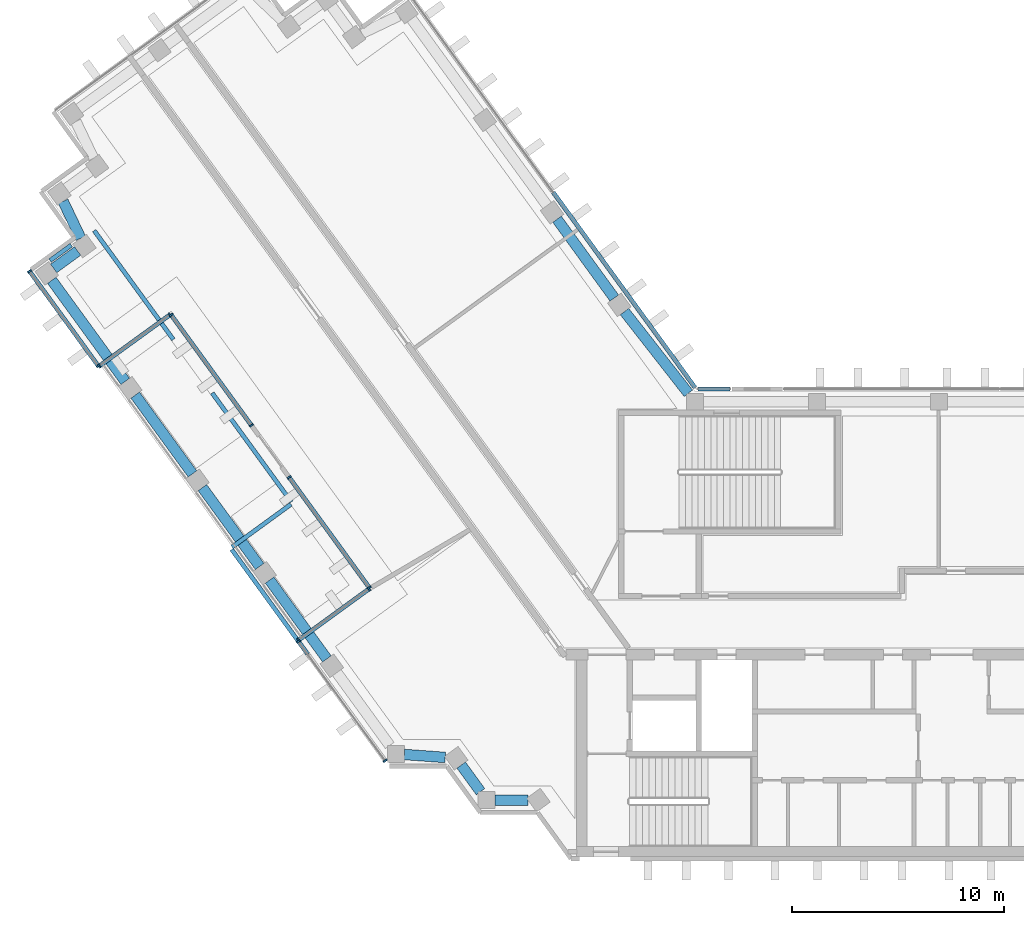
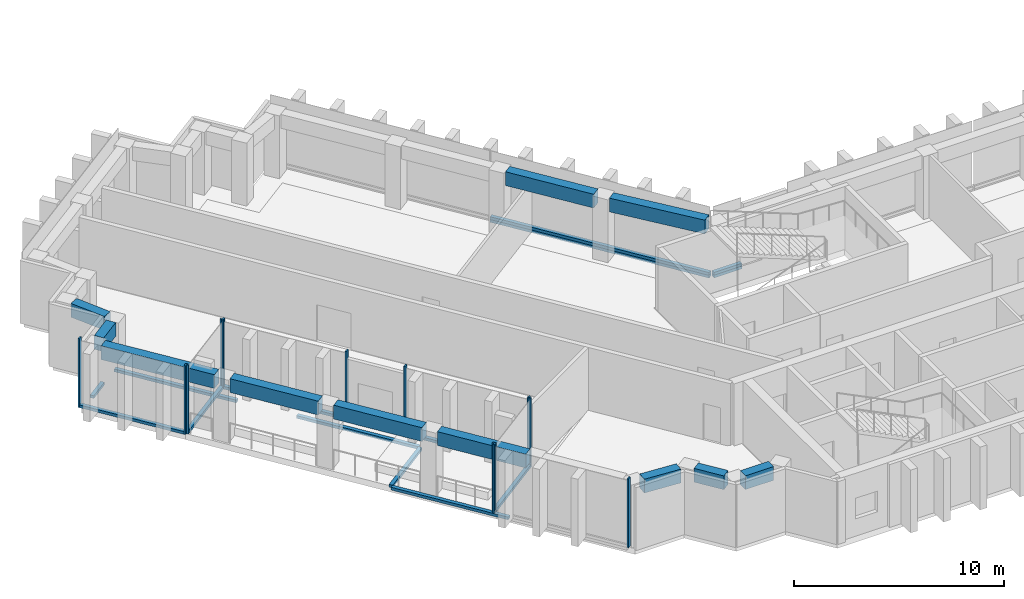
"""IFC4 building model written with IfcOpenShell, lengths in metres."""

import ifcopenshell
import ifcopenshell.guid

model = None  # the IFC model being written
_history = None  # IfcOwnerHistory: only IFC2X3 demands one
_inside = {}  # id of a spatial element -> (the spatial element, [elements in it])
_under = {}  # id of a project, library or spatial element -> (it, [spatial elements below it])
_declared = {}  # id of a project -> (the project, [libraries it declares])
_typed = {}  # id of a type object -> (the type object, [elements of that type])
_made_of = {}  # id of a material, layer set ... -> (it, [elements and type objects made of it])


def new_model(schema):
    """Start an empty IFC model of exactly this schema.

    Asked for "IFC4X3", IfcOpenShell would pick the latest addendum, in which some entities
    have other attributes; the version numbers below select the first issue.
    IFC2X3 requires an IfcOwnerHistory on every rooted entity: one is made here for all.
    """
    global model, _history
    if schema == "IFC4X3":
        model = ifcopenshell.file(schema_version=(4, 3, 0, 0))
    else:
        model = ifcopenshell.file(schema=schema)
    _inside.clear()
    _under.clear()
    _declared.clear()
    _typed.clear()
    _made_of.clear()
    _history = None
    if model.schema == "IFC2X3":
        org = make("IfcOrganization", Name="unknown")
        user = make(
            "IfcPersonAndOrganization",
            ThePerson=make("IfcPerson", FamilyName="unknown"),
            TheOrganization=org,
        )
        app = make(
            "IfcApplication",
            ApplicationDeveloper=org,
            Version="unknown",
            ApplicationFullName="unknown",
            ApplicationIdentifier="unknown",
        )
        _history = make(
            "IfcOwnerHistory",
            OwningUser=user,
            OwningApplication=app,
            ChangeAction="ADDED",
            CreationDate=0,
        )
    return model


def make(cls, **values):
    """One entity of the class cls with the attributes given. An attribute that is None is left unset."""
    return model.create_entity(
        cls, **{name: value for name, value in values.items() if value is not None}
    )


def rooted(cls, **values):
    """An entity with a GlobalId (a new one), such as an element, a storey or a relation."""
    return make(cls, GlobalId=ifcopenshell.guid.new(), OwnerHistory=_history, **values)


def si_unit(unit_type, name, prefix=None):
    """IfcSIUnit, for example si_unit("LENGTHUNIT", "METRE", prefix="MILLI")."""
    return make("IfcSIUnit", UnitType=unit_type, Prefix=prefix, Name=name)


def assignment(units):
    """IfcUnitAssignment: the units of a project."""
    return None if units is None else make("IfcUnitAssignment", Units=units)


def point(xyz):
    """IfcCartesianPoint."""
    return None if xyz is None else make("IfcCartesianPoint", Coordinates=xyz)


def direction(xyz):
    """IfcDirection."""
    return None if xyz is None else make("IfcDirection", DirectionRatios=xyz)


def frame(location, z_axis=None, x_axis=None):
    """IfcAxis2Placement3D, a coordinate frame: its origin and axes. An axis left out is left unset."""
    return make(
        "IfcAxis2Placement3D",
        Location=point(location),
        Axis=direction(z_axis),
        RefDirection=direction(x_axis),
    )


def frame_2d(location, x_axis=None):
    """IfcAxis2Placement2D, a coordinate frame in the plane: its origin and x axis."""
    return make(
        "IfcAxis2Placement2D", Location=point(location), RefDirection=direction(x_axis)
    )


def origin():
    """The frame at (0, 0, 0) with its axes left unset."""
    return frame((0.0, 0.0, 0.0))


def origin_2d():
    """The frame at (0, 0) in the plane with its x axis left unset."""
    return frame_2d((0.0, 0.0))


def place(relative_to, where):
    """IfcLocalPlacement: puts the frame where relative to a parent placement (None: the world)."""
    return make(
        "IfcLocalPlacement", PlacementRelTo=relative_to, RelativePlacement=where
    )


def context(
    kind, dimensions, precision=None, world=None, true_north=None, identifier=None
):
    """IfcGeometricRepresentationContext, for example the 3D "Model" context."""
    return make(
        "IfcGeometricRepresentationContext",
        ContextIdentifier=identifier,
        ContextType=kind,
        CoordinateSpaceDimension=dimensions,
        Precision=precision,
        WorldCoordinateSystem=world,
        TrueNorth=true_north,
    )


def subcontext(parent, identifier, kind, view, scale=None):
    """IfcGeometricRepresentationSubContext, for example "Body" below "Model"."""
    return make(
        "IfcGeometricRepresentationSubContext",
        ContextIdentifier=identifier,
        ContextType=kind,
        ParentContext=parent,
        TargetScale=scale,
        TargetView=view,
    )


def project(units=None, contexts=None):
    """IfcProject with its units and contexts."""
    return rooted(
        "IfcProject",
        Name="project",
        RepresentationContexts=contexts,
        UnitsInContext=assignment(units),
    )


def spatial(cls, under=None, at=None, **own):
    """A site, building, storey or space (cls), placed at a placement, below another one or the project."""
    s = rooted(cls, ObjectPlacement=at, **own)
    if under is not None:
        _under.setdefault(under.id(), (under, []))[1].append(s)
    return s


def profile(cls, at=None, kind="AREA", **sizes):
    """A parametric profile (cls). Its sizes go by their IFC names, for example OverallWidth=200.0."""
    return make(cls, ProfileType=kind, Position=at, **sizes)


def rectangle(**sizes):
    """IfcRectangleProfileDef."""
    return profile("IfcRectangleProfileDef", **sizes)


def extrude(swept, where, along, depth):
    """IfcExtrudedAreaSolid: the profile swept, set in the frame where, extruded along a direction by depth."""
    return make(
        "IfcExtrudedAreaSolid",
        SweptArea=swept,
        Position=where,
        ExtrudedDirection=direction(along),
        Depth=depth,
    )


def shape(context_of_items, identifier, shape_type, items):
    """IfcShapeRepresentation: the items that make up one representation, for example the "Body"."""
    return make(
        "IfcShapeRepresentation",
        ContextOfItems=context_of_items,
        RepresentationIdentifier=identifier,
        RepresentationType=shape_type,
        Items=items,
    )


def material(Name=None, Category=None):
    """IfcMaterial."""
    return make("IfcMaterial", Name=Name, Category=Category)


def material_profile(
    of_material, cross_section, Name=None, Category=None, Priority=None
):
    """IfcMaterialProfile: a cross section and its material."""
    return make(
        "IfcMaterialProfile",
        Name=Name,
        Material=of_material,
        Profile=cross_section,
        Priority=Priority,
        Category=Category,
    )


def profile_set(profiles, Name=None, composite=None):
    """IfcMaterialProfileSet."""
    return make(
        "IfcMaterialProfileSet",
        Name=Name,
        MaterialProfiles=profiles,
        CompositeProfile=composite,
    )


def made_of(thing, what):
    """Note that an element or type object is made of a material, layer set ...; save() writes the relation."""
    if what is not None:
        _made_of.setdefault(what.id(), (what, []))[1].append(thing)
    return thing


def type_object(cls, material=None, **own):
    """A type object (cls), such as IfcWallType, which elements share."""
    return made_of(rooted(cls, **own), material)


def element(
    cls,
    number,
    at=None,
    inside=None,
    cuts=None,
    type_object=None,
    material=None,
    context=None,
    identifier="Body",
    shape_type=None,
    held_by="IfcProductDefinitionShape",
    body=None,
    shapes=None,
    **own,
):
    """One element of the class cls, such as IfcWall. Its Tag is "e" and its number.

    at: its placement. inside: the storey or other place that contains it. cuts: it is an
    opening in that element (IfcRelVoidsElement). A single representation is given by context,
    identifier, shape_type and body (its items); several are given by shapes. held_by: the class
    of the entity that holds the representations. save() writes the other relations.
    """
    e = rooted(cls, Tag="e%d" % number, ObjectPlacement=at, **own)
    if body is not None:
        shapes = [shape(context, identifier, shape_type, body)]
    if shapes is not None:
        e.Representation = make(held_by, Representations=shapes)
    if inside is not None:
        _inside.setdefault(inside.id(), (inside, []))[1].append(e)
    if cuts is not None:
        rooted(
            "IfcRelVoidsElement", RelatingBuildingElement=cuts, RelatedOpeningElement=e
        )
    if type_object is not None:
        _typed.setdefault(type_object.id(), (type_object, []))[1].append(e)
    return made_of(e, material)


def aggregate(whole, parts):
    """IfcRelAggregates: a whole, such as a stair, and the parts it consists of."""
    return rooted("IfcRelAggregates", RelatingObject=whole, RelatedObjects=parts)


def save(model, path):
    """Write the relations noted so far, then the file.

    IfcRelAggregates (storeys below a building ...), IfcRelContainedInSpatialStructure (elements
    in a storey), IfcRelDefinesByType, IfcRelAssociatesMaterial and IfcRelDeclares: one each for
    every whole, place, type object, material and project.
    """
    for whole, parts in _under.values():
        aggregate(whole, parts)
    for where, things in _inside.values():
        rooted(
            "IfcRelContainedInSpatialStructure",
            RelatedElements=things,
            RelatingStructure=where,
        )
    for kind, things in _typed.values():
        rooted("IfcRelDefinesByType", RelatedObjects=things, RelatingType=kind)
    for what, things in _made_of.values():
        rooted("IfcRelAssociatesMaterial", RelatedObjects=things, RelatingMaterial=what)
    for by, libraries in _declared.values():
        rooted("IfcRelDeclares", RelatingContext=by, RelatedDefinitions=libraries)
    model.write(path)


model = new_model("IFC4")

# Units and contexts
model_context = context("Model", 3, precision=1e-05, world=origin(), true_north=direction((0.0, 1.0)))
body_context = subcontext(model_context, "Body", "Model", "MODEL_VIEW")
ifc_project = project(units=[si_unit("LENGTHUNIT", "METRE"), si_unit("AREAUNIT", "SQUARE_METRE"), si_unit("VOLUMEUNIT", "CUBIC_METRE"), si_unit("PLANEANGLEUNIT", "RADIAN"), si_unit("MASSUNIT", "GRAM", prefix="KILO")], contexts=[model_context])

# Site, building, storey
site_placement = place(None, origin())
site = spatial("IfcSite", under=ifc_project, at=site_placement, CompositionType="ELEMENT")
building_placement = place(site_placement, origin())
building = spatial("IfcBuilding", under=site, at=building_placement, Name="Quipu Civic Tower", CompositionType="ELEMENT")
storey_1_placement = place(building_placement, frame((0.0, 0.0, 156.0)))
storey_1 = spatial("IfcBuildingStorey", under=building, at=storey_1_placement, Name="L36", CompositionType="ELEMENT", Elevation=156.0)

# Curtain wall, members
ifc_material_1 = material(Name="Insulated glass unit", Category="glass")
curtain_wall_type = type_object("IfcCurtainWallType", Name="Office curtain wall CW1", PredefinedType="NOTDEFINED", material=ifc_material_1)
curtain_wall_1_placement = place(storey_1_placement, origin())
curtain_wall_1 = element("IfcCurtainWall", 1, at=curtain_wall_1_placement, inside=storey_1, type_object=curtain_wall_type, Name="Office curtain wall CW1 L36 run 1", PredefinedType="NOTDEFINED")
ifc_material_2 = material(Name="Anodised aluminium", Category="aluminium")
ifc_material_profile_1 = material_profile(ifc_material_2, rectangle(XDim=0.199951171875, YDim=0.080078125, at=origin_2d()), Name="RECT 200x80")
ifc_profile_set_1 = profile_set([ifc_material_profile_1], Name="Anodised aluminium")
member_type_1 = type_object("IfcMemberType", Name="Mullion CW1", PredefinedType="MULLION", material=ifc_profile_set_1)
member_1_placement = place(storey_1_placement, frame((-45.825927734375, 16.661865234375, 0.080078125), z_axis=(0.0, 0.0, 1.0), x_axis=(0.809010903145, 0.587793636059, 0.0)))
member_1 = element("IfcMember", 2, at=member_1_placement, type_object=member_type_1, Name="CW1 mullion 1", PredefinedType="MULLION", context=body_context, shape_type="SweptSolid", body=[
    extrude(rectangle(XDim=0.199951171875, YDim=0.080078125, at=origin_2d()), origin(), (0.0, 0.0, 1.0), 4.0),
])
member_2_placement = place(storey_1_placement, frame((-42.581298828125, 12.1962890625, 0.080078125), z_axis=(0.0, 0.0, 1.0), x_axis=(0.809010903145, 0.587793636059, 0.0)))
member_2 = element("IfcMember", 3, at=member_2_placement, type_object=member_type_1, Name="CW1 mullion 2", PredefinedType="MULLION", context=body_context, shape_type="SweptSolid", body=[
    extrude(rectangle(XDim=0.199951171875, YDim=0.080078125, at=origin_2d()), origin(), (0.0, 0.0, 1.0), 4.0),
])

curtain_wall_2_placement = place(storey_1_placement, origin())
curtain_wall_2 = element("IfcCurtainWall", 4, at=curtain_wall_2_placement, inside=storey_1, type_object=curtain_wall_type, Name="Office curtain wall CW1 L36 run 2", PredefinedType="NOTDEFINED")
member_3_placement = place(storey_1_placement, frame((-42.525634765625, 12.1875, 0.080078125), z_axis=(0.0, 0.0, 1.0), x_axis=(-0.587782313886, 0.809019129244, 0.0)))
member_3 = element("IfcMember", 5, at=member_3_placement, type_object=member_type_1, Name="CW1 mullion 1", PredefinedType="MULLION", context=body_context, shape_type="SweptSolid", body=[
    extrude(rectangle(XDim=0.199951171875, YDim=0.080078125, at=origin_2d()), origin(), (0.0, 0.0, 1.0), 4.0),
])
member_4_placement = place(storey_1_placement, frame((-39.1923828125, 14.609130859375, 0.080078125), z_axis=(0.0, 0.0, 1.0), x_axis=(-0.587782313886, 0.809019129244, 0.0)))
member_4 = element("IfcMember", 6, at=member_4_placement, type_object=member_type_1, Name="CW1 mullion 2", PredefinedType="MULLION", context=body_context, shape_type="SweptSolid", body=[
    extrude(rectangle(XDim=0.199951171875, YDim=0.080078125, at=origin_2d()), origin(), (0.0, 0.0, 1.0), 4.0),
])

curtain_wall_3_placement = place(storey_1_placement, origin())
curtain_wall_3 = element("IfcCurtainWall", 7, at=curtain_wall_3_placement, inside=storey_1, type_object=curtain_wall_type, Name="Office curtain wall CW1 L36 run 3", PredefinedType="NOTDEFINED")
member_5_placement = place(storey_1_placement, frame((-39.136474609375, 14.600341796875, 0.080078125), z_axis=(0.0, 0.0, 1.0), x_axis=(0.809021906018, 0.587778491936, 0.0)))
member_5 = element("IfcMember", 8, at=member_5_placement, type_object=member_type_1, Name="CW1 mullion 1", PredefinedType="MULLION", context=body_context, shape_type="SweptSolid", body=[
    extrude(rectangle(XDim=0.199951171875, YDim=0.080078125, at=origin_2d()), origin(), (0.0, 0.0, 1.0), 4.0),
])
member_6_placement = place(storey_1_placement, frame((-35.35205078125, 9.391357421875, 0.080078125), z_axis=(0.0, 0.0, 1.0), x_axis=(0.809021906018, 0.587778491936, 0.0)))
member_6 = element("IfcMember", 9, at=member_6_placement, type_object=member_type_1, Name="CW1 mullion 2", PredefinedType="MULLION", context=body_context, shape_type="SweptSolid", body=[
    extrude(rectangle(XDim=0.199951171875, YDim=0.080078125, at=origin_2d()), origin(), (0.0, 0.0, 1.0), 4.0),
])

curtain_wall_4_placement = place(storey_1_placement, origin())
curtain_wall_4 = element("IfcCurtainWall", 10, at=curtain_wall_4_placement, inside=storey_1, type_object=curtain_wall_type, Name="Office curtain wall CW1 L36 run 5", PredefinedType="NOTDEFINED")
member_7_placement = place(storey_1_placement, frame((-33.5634765625, 6.929443359375, 0.080078125), z_axis=(0.0, 0.0, 1.0), x_axis=(0.809018600878, 0.587783041125, 0.0)))
member_7 = element("IfcMember", 11, at=member_7_placement, type_object=member_type_1, Name="CW1 mullion 1", PredefinedType="MULLION", context=body_context, shape_type="SweptSolid", body=[
    extrude(rectangle(XDim=0.199951171875, YDim=0.080078125, at=origin_2d()), origin(), (0.0, 0.0, 1.0), 4.0),
])
member_8_placement = place(storey_1_placement, frame((-29.779052734375, 1.720703125, 0.080078125), z_axis=(0.0, 0.0, 1.0), x_axis=(0.809018600878, 0.587783041125, 0.0)))
member_8 = element("IfcMember", 12, at=member_8_placement, type_object=member_type_1, Name="CW1 mullion 2", PredefinedType="MULLION", context=body_context, shape_type="SweptSolid", body=[
    extrude(rectangle(XDim=0.199951171875, YDim=0.080078125, at=origin_2d()), origin(), (0.0, 0.0, 1.0), 4.0),
])

curtain_wall_5_placement = place(storey_1_placement, origin())
curtain_wall_5 = element("IfcCurtainWall", 13, at=curtain_wall_5_placement, inside=storey_1, type_object=curtain_wall_type, Name="Office curtain wall CW1 L36 run 6", PredefinedType="NOTDEFINED")
member_9_placement = place(storey_1_placement, frame((-29.787841796875, 1.664794921875, 0.080078125), z_axis=(0.0, 0.0, 1.0), x_axis=(0.587782313886, -0.809019129244, 0.0)))
member_9 = element("IfcMember", 14, at=member_9_placement, type_object=member_type_1, Name="CW1 mullion 1", PredefinedType="MULLION", context=body_context, shape_type="SweptSolid", body=[
    extrude(rectangle(XDim=0.199951171875, YDim=0.080078125, at=origin_2d()), origin(), (0.0, 0.0, 1.0), 4.0),
])
member_10_placement = place(storey_1_placement, frame((-33.12109375, -0.7568359375, 0.080078125), z_axis=(0.0, 0.0, 1.0), x_axis=(0.587782313886, -0.809019129244, 0.0)))
member_10 = element("IfcMember", 15, at=member_10_placement, type_object=member_type_1, Name="CW1 mullion 2", PredefinedType="MULLION", context=body_context, shape_type="SweptSolid", body=[
    extrude(rectangle(XDim=0.199951171875, YDim=0.080078125, at=origin_2d()), origin(), (0.0, 0.0, 1.0), 4.0),
])

curtain_wall_6_placement = place(storey_1_placement, origin())
curtain_wall_6 = element("IfcCurtainWall", 16, at=curtain_wall_6_placement, inside=storey_1, type_object=curtain_wall_type, Name="Office curtain wall CW1 L36 run 7", PredefinedType="NOTDEFINED")
member_11_placement = place(storey_1_placement, frame((-33.1298828125, -0.812744140625, 0.080078125), z_axis=(0.0, 0.0, 1.0), x_axis=(0.809014839234, 0.587788218578, 0.0)))
member_11 = element("IfcMember", 17, at=member_11_placement, type_object=member_type_1, Name="CW1 mullion 1", PredefinedType="MULLION", context=body_context, shape_type="SweptSolid", body=[
    extrude(rectangle(XDim=0.199951171875, YDim=0.080078125, at=origin_2d()), origin(), (0.0, 0.0, 1.0), 4.0),
])
member_12_placement = place(storey_1_placement, frame((-29.029296875, -6.45654296875, 0.080078125), z_axis=(0.0, 0.0, 1.0), x_axis=(0.809014839234, 0.587788218578, 0.0)))
member_12 = element("IfcMember", 18, at=member_12_placement, type_object=member_type_1, Name="CW1 mullion 2", PredefinedType="MULLION", context=body_context, shape_type="SweptSolid", body=[
    extrude(rectangle(XDim=0.199951171875, YDim=0.080078125, at=origin_2d()), origin(), (0.0, 0.0, 1.0), 4.0),
])
aggregate(curtain_wall_6, [member_11, member_12])

# Beams
ifc_material_3 = material(Name="Concrete C50/60", Category="concrete")
ifc_material_profile_2 = material_profile(ifc_material_3, rectangle(XDim=0.5, YDim=0.800048828125, at=origin_2d()), Name="RC500x800")
ifc_profile_set_2 = profile_set([ifc_material_profile_2], Name="Concrete C50/60")
beam_type = type_object("IfcBeamType", Name="Spandrel beam RC 500x800 C50/60", PredefinedType="SPANDREL", material=ifc_profile_set_2)
beam_1_placement = place(storey_1_placement, frame((-18.208740234375, 15.398681640625, 3.25), z_axis=(-0.58776136044, 0.809034352283, 0.0), x_axis=(-0.809034352283, -0.58776136044, 0.0)))
element("IfcBeam", 19, at=beam_1_placement, inside=storey_1, type_object=beam_type, Name="Spandrel beam L36 W-IN-01 to W-IN-02", PredefinedType="SPANDREL", context=body_context, shape_type="SweptSolid", body=[
    extrude(rectangle(XDim=0.5, YDim=0.800048828125, at=origin_2d()), origin(), (0.0, 0.0, 1.0), 4.599853515625),
])
beam_2_placement = place(storey_1_placement, frame((-44.23974609375, 19.9677734375, 3.25), z_axis=(0.430785642718, -0.902454281406, 0.0), x_axis=(0.902454281406, 0.430785642718, 0.0)))
element("IfcBeam", 20, at=beam_2_placement, inside=storey_1, type_object=beam_type, Name="Spandrel beam L36 T-Wo.2-W34 to T-Wo.3-W34", PredefinedType="SPANDREL", context=body_context, shape_type="SweptSolid", body=[
    extrude(rectangle(XDim=0.5, YDim=0.800048828125, at=origin_2d()), origin(), (0.0, 0.0, 1.0), 1.934814453125),
])
beam_3_placement = place(storey_1_placement, frame((-43.554443359375, 17.619140625, 3.25), z_axis=(-0.808600329101, -0.588358315805, 0.0), x_axis=(0.588358315805, -0.808600329101, 0.0)))
element("IfcBeam", 21, at=beam_3_placement, inside=storey_1, type_object=beam_type, Name="Spandrel beam L36 T-Wo.3-W34 to T-Wo.4-W34", PredefinedType="SPANDREL", context=body_context, shape_type="SweptSolid", body=[
    extrude(rectangle(XDim=0.5, YDim=0.800048828125, at=origin_2d()), origin(), (0.0, 0.0, 1.0), 1.400146484375),
])
beam_4_placement = place(storey_1_placement, frame((-44.77490234375, 16.236328125, 3.25), z_axis=(0.58780026889, -0.809006083965, 0.0), x_axis=(0.809006083965, 0.58780026889, 0.0)))
element("IfcBeam", 22, at=beam_4_placement, inside=storey_1, type_object=beam_type, Name="Spandrel beam L36 T-Wo.4-W34 to W-OUT-04", PredefinedType="SPANDREL", context=body_context, shape_type="SweptSolid", body=[
    extrude(rectangle(XDim=0.5, YDim=0.800048828125, at=origin_2d()), origin(), (0.0, 0.0, 1.0), 5.902587890625),
])
beam_5_placement = place(storey_1_placement, frame((-40.835205078125, 10.81396484375, 3.25), z_axis=(0.587770861189, -0.809027449928, 0.0), x_axis=(0.809027449928, 0.587770861189, 0.0)))
element("IfcBeam", 23, at=beam_5_placement, inside=storey_1, type_object=beam_type, Name="Spandrel beam L36 W-OUT-04 to W-OUT-03", PredefinedType="SPANDREL", context=body_context, shape_type="SweptSolid", body=[
    extrude(rectangle(XDim=0.5, YDim=0.800048828125, at=origin_2d()), origin(), (0.0, 0.0, 1.0), 4.60009765625),
])
beam_6_placement = place(storey_1_placement, frame((-37.6611328125, 6.445068359375, 3.25), z_axis=(0.58776136044, -0.809034352283, 0.0), x_axis=(0.809034352283, 0.58776136044, 0.0)))
element("IfcBeam", 24, at=beam_6_placement, inside=storey_1, type_object=beam_type, Name="Spandrel beam L36 W-OUT-03 to W-OUT-02", PredefinedType="SPANDREL", context=body_context, shape_type="SweptSolid", body=[
    extrude(rectangle(XDim=0.5, YDim=0.800048828125, at=origin_2d()), origin(), (0.0, 0.0, 1.0), 4.599853515625),
])
beam_7_placement = place(storey_1_placement, frame((-34.4873046875, 2.076416015625, 3.25), z_axis=(0.587796098864, -0.809009113768, 0.0), x_axis=(0.809009113768, 0.587796098864, 0.0)))
element("IfcBeam", 25, at=beam_7_placement, inside=storey_1, type_object=beam_type, Name="Spandrel beam L36 W-OUT-02 to W-OUT-01", PredefinedType="SPANDREL", context=body_context, shape_type="SweptSolid", body=[
    extrude(rectangle(XDim=0.5, YDim=0.800048828125, at=origin_2d()), origin(), (0.0, 0.0, 1.0), 4.60009765625),
])
beam_8_placement = place(storey_1_placement, frame((-28.125, -6.158935546875, 3.25), z_axis=(0.997370796499, -0.072467194581, 0.0), x_axis=(0.072467194581, 0.997370796499, 0.0)))
element("IfcBeam", 26, at=beam_8_placement, inside=storey_1, type_object=beam_type, Name="Spandrel beam L36 J-Wo.0 to J-Wo.1", PredefinedType="SPANDREL", context=body_context, shape_type="SweptSolid", body=[
    extrude(rectangle(XDim=0.5, YDim=0.800048828125, at=origin_2d()), origin(), (0.0, 0.0, 1.0), 1.933837890625),
])
beam_9_placement = place(storey_1_placement, frame((-25.43896484375, -6.660400390625, 3.25), z_axis=(0.588330737135, -0.808620395329, 0.0), x_axis=(0.808620395329, 0.588330737135, 0.0)))
element("IfcBeam", 27, at=beam_9_placement, inside=storey_1, type_object=beam_type, Name="Spandrel beam L36 J-Wo.1 to J-Wo.2", PredefinedType="SPANDREL", context=body_context, shape_type="SweptSolid", body=[
    extrude(rectangle(XDim=0.5, YDim=0.800048828125, at=origin_2d()), origin(), (0.0, 0.0, 1.0), 1.551513671875),
])
beam_10_placement = place(storey_1_placement, frame((-23.8349609375, -8.31494140625, 3.25), z_axis=(1.0, 0.0, 0.0), x_axis=(0.0, 1.0, 0.0)))
element("IfcBeam", 28, at=beam_10_placement, inside=storey_1, type_object=beam_type, Name="Spandrel beam L36 J-Wo.2 to J-Wo.3", PredefinedType="SPANDREL", context=body_context, shape_type="SweptSolid", body=[
    extrude(rectangle(XDim=0.5, YDim=0.800048828125, at=origin_2d()), origin(), (0.0, 0.0, 1.0), 1.548828125),
])
beam_11_placement = place(storey_1_placement, frame((-14.7080078125, 10.89990234375, 3.25), z_axis=(-0.616090612932, 0.787675286306, 0.0), x_axis=(-0.787675286306, -0.616090612932, 0.0)))
element("IfcBeam", 29, at=beam_11_placement, inside=storey_1, type_object=beam_type, Name="Spandrel beam L36 J-Wi.0 to W-IN-01", PredefinedType="SPANDREL", context=body_context, shape_type="SweptSolid", body=[
    extrude(rectangle(XDim=0.5, YDim=0.800048828125, at=origin_2d()), origin(), (0.0, 0.0, 1.0), 4.900390625),
])

# Storey
storey_2_placement = place(building_placement, frame((0.0, 0.0, 148.0)))
storey_2 = spatial("IfcBuildingStorey", under=building, at=storey_2_placement, Name="L34", CompositionType="ELEMENT", Elevation=148.0)

# Curtain wall, member
curtain_wall_7_placement = place(storey_2_placement, origin())
curtain_wall_7 = element("IfcCurtainWall", 30, at=curtain_wall_7_placement, inside=storey_2, type_object=curtain_wall_type, Name="Office curtain wall CW1 L33 run 31", PredefinedType="NOTDEFINED")
ifc_material_4 = material(Name="Anodised aluminium", Category="aluminium")
ifc_material_profile_3 = material_profile(ifc_material_4, rectangle(XDim=0.199951171875, YDim=0.159912109375, at=origin_2d()), Name="RECT 200x160")
ifc_profile_set_3 = profile_set([ifc_material_profile_3], Name="Anodised aluminium")
member_type_2 = type_object("IfcMemberType", Name="Transom CW1", PredefinedType="USERDEFINED", material=ifc_profile_set_3)
member_13_placement = place(storey_1_placement, frame((-12.735107421875, 11.10009765625, 0.0), z_axis=(-1.0, 0.0, 0.0), x_axis=(0.0, -1.0, 0.0)))
member_13 = element("IfcMember", 31, at=member_13_placement, inside=storey_1, type_object=member_type_2, Name="CW1 transom 1.4", ObjectType="TRANSOM", PredefinedType="USERDEFINED", context=body_context, shape_type="SweptSolid", body=[
    extrude(rectangle(XDim=0.199951171875, YDim=0.159912109375, at=origin_2d()), origin(), (0.0, 0.0, 1.0), 1.529052734375),
])
aggregate(curtain_wall_7, [member_13])

curtain_wall_8_placement = place(storey_2_placement, origin())
curtain_wall_8 = element("IfcCurtainWall", 32, at=curtain_wall_8_placement, inside=storey_2, type_object=curtain_wall_type, Name="Office curtain wall CW1 L33 run 32", PredefinedType="NOTDEFINED")
member_14_placement = place(storey_1_placement, frame((-14.39111328125, 11.164794921875, 0.0), z_axis=(-0.587799878401, 0.809006367683, 0.0), x_axis=(-0.809006367683, -0.587799878401, 0.0)))
member_14 = element("IfcMember", 33, at=member_14_placement, inside=storey_1, type_object=member_type_2, Name="CW1 transom 1.4", ObjectType="TRANSOM", PredefinedType="USERDEFINED", context=body_context, shape_type="SweptSolid", body=[
    extrude(rectangle(XDim=0.199951171875, YDim=0.159912109375, at=origin_2d()), origin(), (0.0, 0.0, 1.0), 11.402099609375),
])
aggregate(curtain_wall_8, [member_14])

# Storey
storey_3_placement = place(building_placement, frame((0.0, 0.0, 152.0)))
storey_3 = spatial("IfcBuildingStorey", under=building, at=storey_3_placement, Name="L35", CompositionType="ELEMENT", Elevation=152.0)

# Curtain wall, member
curtain_wall_9_placement = place(storey_3_placement, origin())
curtain_wall_9 = element("IfcCurtainWall", 34, at=curtain_wall_9_placement, inside=storey_3, type_object=curtain_wall_type, Name="Office curtain wall CW1 L35 run 1", PredefinedType="NOTDEFINED")
member_15_placement = place(storey_1_placement, frame((-44.85791015625, 17.16748046875, 0.0), z_axis=(0.808957377838, 0.587867298667, 0.0), x_axis=(-0.587867298667, 0.808957377838, 0.0)))
member_15 = element("IfcMember", 35, at=member_15_placement, inside=storey_1, type_object=member_type_2, Name="CW1 transom 1.2", ObjectType="TRANSOM", PredefinedType="USERDEFINED", context=body_context, shape_type="SweptSolid", body=[
    extrude(rectangle(XDim=0.199951171875, YDim=0.159912109375, at=origin_2d()), origin(), (0.0, 0.0, 1.0), 1.239990234375),
])
aggregate(curtain_wall_9, [member_15])

curtain_wall_10_placement = place(storey_3_placement, origin())
curtain_wall_10 = element("IfcCurtainWall", 36, at=curtain_wall_10_placement, inside=storey_3, type_object=curtain_wall_type, Name="Office curtain wall CW1 L35 run 3", PredefinedType="NOTDEFINED")
member_16_placement = place(storey_1_placement, frame((-42.7724609375, 18.583984375, 0.0), z_axis=(0.587767557609, -0.809029850019, 0.0), x_axis=(0.809029850019, 0.587767557609, 0.0)))
member_16 = element("IfcMember", 37, at=member_16_placement, inside=storey_1, type_object=member_type_2, Name="CW1 transom 1.2", ObjectType="TRANSOM", PredefinedType="USERDEFINED", context=body_context, shape_type="SweptSolid", body=[
    extrude(rectangle(XDim=0.199951171875, YDim=0.159912109375, at=origin_2d()), origin(), (0.0, 0.0, 1.0), 6.35888671875),
])
aggregate(curtain_wall_10, [member_16])

curtain_wall_11_placement = place(storey_3_placement, origin())
curtain_wall_11 = element("IfcCurtainWall", 38, at=curtain_wall_11_placement, inside=storey_3, type_object=curtain_wall_type, Name="Office curtain wall CW1 L35 run 5", PredefinedType="NOTDEFINED")
member_17_placement = place(storey_1_placement, frame((-37.19921875, 10.912841796875, 0.0), z_axis=(0.587797201853, -0.809008312376, 0.0), x_axis=(0.809008312376, 0.587797201853, 0.0)))
member_17 = element("IfcMember", 39, at=member_17_placement, inside=storey_1, type_object=member_type_2, Name="CW1 transom 1.2", ObjectType="TRANSOM", PredefinedType="USERDEFINED", context=body_context, shape_type="SweptSolid", body=[
    extrude(rectangle(XDim=0.199951171875, YDim=0.159912109375, at=origin_2d()), origin(), (0.0, 0.0, 1.0), 6.358154296875),
])
aggregate(curtain_wall_11, [member_17])

curtain_wall_12_placement = place(storey_3_placement, origin())
curtain_wall_12 = element("IfcCurtainWall", 40, at=curtain_wall_12_placement, inside=storey_3, type_object=curtain_wall_type, Name="Office curtain wall CW1 L35 run 6", PredefinedType="NOTDEFINED")
member_18_placement = place(storey_1_placement, frame((-33.479736328125, 5.6572265625, 0.0), z_axis=(-0.809012211288, -0.58779183559, 0.0), x_axis=(0.58779183559, -0.809012211288, 0.0)))
member_18 = element("IfcMember", 41, at=member_18_placement, inside=storey_1, type_object=member_type_2, Name="CW1 transom 1.2", ObjectType="TRANSOM", PredefinedType="USERDEFINED", context=body_context, shape_type="SweptSolid", body=[
    extrude(rectangle(XDim=0.199951171875, YDim=0.159912109375, at=origin_2d()), origin(), (0.0, 0.0, 1.0), 3.43994140625),
])
aggregate(curtain_wall_12, [member_18])

curtain_wall_13_placement = place(storey_3_placement, origin())
curtain_wall_13 = element("IfcCurtainWall", 42, at=curtain_wall_13_placement, inside=storey_3, type_object=curtain_wall_type, Name="Office curtain wall CW1 L35 run 7", PredefinedType="NOTDEFINED")
member_19_placement = place(storey_1_placement, frame((-36.2802734375, 3.523681640625, 0.0), z_axis=(0.587760469668, -0.809034999426, 0.0), x_axis=(0.809034999426, 0.587760469668, 0.0)))
member_19 = element("IfcMember", 43, at=member_19_placement, inside=storey_1, type_object=member_type_2, Name="CW1 transom 1.2", ObjectType="TRANSOM", PredefinedType="USERDEFINED", context=body_context, shape_type="SweptSolid", body=[
    extrude(rectangle(XDim=0.199951171875, YDim=0.159912109375, at=origin_2d()), origin(), (0.0, 0.0, 1.0), 6.108154296875),
])
aggregate(curtain_wall_13, [member_19])

# Member
member_20_placement = place(storey_1_placement, frame((-45.802490234375, 16.629638671875, 0.159912109375), z_axis=(0.587774027131, -0.809025149813, 0.0), x_axis=(0.809025149813, 0.587774027131, 0.0)))
member_20 = element("IfcMember", 44, at=member_20_placement, type_object=member_type_2, Name="CW1 transom 1.1", ObjectType="TRANSOM", PredefinedType="USERDEFINED", context=body_context, shape_type="SweptSolid", body=[
    extrude(rectangle(XDim=0.199951171875, YDim=0.159912109375, at=origin_2d()), origin(), (0.0, 0.0, 1.0), 5.43994140625),
])

aggregate(curtain_wall_1, [member_1, member_2, member_20])

member_21_placement = place(storey_1_placement, frame((-42.4931640625, 12.2109375, 0.159912109375), z_axis=(0.809015596824, 0.587787175852, 0.0), x_axis=(-0.587787175852, 0.809015596824, 0.0)))
member_21 = element("IfcMember", 45, at=member_21_placement, type_object=member_type_2, Name="CW1 transom 1.1", ObjectType="TRANSOM", PredefinedType="USERDEFINED", context=body_context, shape_type="SweptSolid", body=[
    extrude(rectangle(XDim=0.199951171875, YDim=0.159912109375, at=origin_2d()), origin(), (0.0, 0.0, 1.0), 4.040283203125),
])

aggregate(curtain_wall_2, [member_3, member_4, member_21])

member_22_placement = place(storey_1_placement, frame((-39.113037109375, 14.56787109375, 0.159912109375), z_axis=(0.587785815007, -0.809016585539, 0.0), x_axis=(0.809016585539, 0.587785815007, 0.0)))
member_22 = element("IfcMember", 46, at=member_22_placement, type_object=member_type_2, Name="CW1 transom 1.1", ObjectType="TRANSOM", PredefinedType="USERDEFINED", context=body_context, shape_type="SweptSolid", body=[
    extrude(rectangle(XDim=0.199951171875, YDim=0.159912109375, at=origin_2d()), origin(), (0.0, 0.0, 1.0), 6.358642578125),
])

aggregate(curtain_wall_3, [member_5, member_6, member_22])

member_23_placement = place(storey_1_placement, frame((-33.539794921875, 6.89697265625, 0.159912109375), z_axis=(0.587778942742, -0.809021578494, 0.0), x_axis=(0.809021578494, 0.587778942742, 0.0)))
member_23 = element("IfcMember", 47, at=member_23_placement, type_object=member_type_2, Name="CW1 transom 1.1", ObjectType="TRANSOM", PredefinedType="USERDEFINED", context=body_context, shape_type="SweptSolid", body=[
    extrude(rectangle(XDim=0.199951171875, YDim=0.159912109375, at=origin_2d()), origin(), (0.0, 0.0, 1.0), 6.3583984375),
])

aggregate(curtain_wall_4, [member_7, member_8, member_23])

member_24_placement = place(storey_1_placement, frame((-29.8203125, 1.641357421875, 0.159912109375), z_axis=(-0.808994717653, -0.587815912348, 0.0), x_axis=(0.587815912348, -0.808994717653, 0.0)))
member_24 = element("IfcMember", 48, at=member_24_placement, type_object=member_type_2, Name="CW1 transom 1.1", ObjectType="TRANSOM", PredefinedType="USERDEFINED", context=body_context, shape_type="SweptSolid", body=[
    extrude(rectangle(XDim=0.199951171875, YDim=0.159912109375, at=origin_2d()), origin(), (0.0, 0.0, 1.0), 4.0400390625),
])

aggregate(curtain_wall_5, [member_9, member_10, member_24])

# Storey
storey_4_placement = place(building_placement, frame((0.0, 0.0, 160.0)))
storey_4 = spatial("IfcBuildingStorey", under=building, at=storey_4_placement, Name="L37", CompositionType="ELEMENT", Elevation=160.0)

# Curtain wall, member
curtain_wall_14_placement = place(storey_4_placement, origin())
curtain_wall_14 = element("IfcCurtainWall", 49, at=curtain_wall_14_placement, inside=storey_4, type_object=curtain_wall_type, Name="Office curtain wall CW1 L36 run 10", PredefinedType="NOTDEFINED")
member_25_placement = place(storey_1_placement, frame((-14.39111328125, 11.164794921875, 0.159912109375), z_axis=(-0.587799878401, 0.809006367683, 0.0), x_axis=(-0.809006367683, -0.587799878401, 0.0)))
member_25 = element("IfcMember", 50, at=member_25_placement, inside=storey_1, type_object=member_type_2, Name="CW1 transom 1.1", ObjectType="TRANSOM", PredefinedType="USERDEFINED", context=body_context, shape_type="SweptSolid", body=[
    extrude(rectangle(XDim=0.199951171875, YDim=0.159912109375, at=origin_2d()), origin(), (0.0, 0.0, 1.0), 11.402099609375),
])
aggregate(curtain_wall_14, [member_25])

curtain_wall_15_placement = place(storey_4_placement, origin())
curtain_wall_15 = element("IfcCurtainWall", 51, at=curtain_wall_15_placement, inside=storey_4, type_object=curtain_wall_type, Name="Office curtain wall CW1 L36 run 41", PredefinedType="NOTDEFINED")
member_26_placement = place(storey_1_placement, frame((-12.735107421875, 11.10009765625, 0.159912109375), z_axis=(-1.0, 0.0, 0.0), x_axis=(0.0, -1.0, 0.0)))
member_26 = element("IfcMember", 52, at=member_26_placement, inside=storey_1, type_object=member_type_2, Name="CW1 transom 1.1", ObjectType="TRANSOM", PredefinedType="USERDEFINED", context=body_context, shape_type="SweptSolid", body=[
    extrude(rectangle(XDim=0.199951171875, YDim=0.159912109375, at=origin_2d()), origin(), (0.0, 0.0, 1.0), 1.529052734375),
])
aggregate(curtain_wall_15, [member_26])

save(model, "model.ifc")
